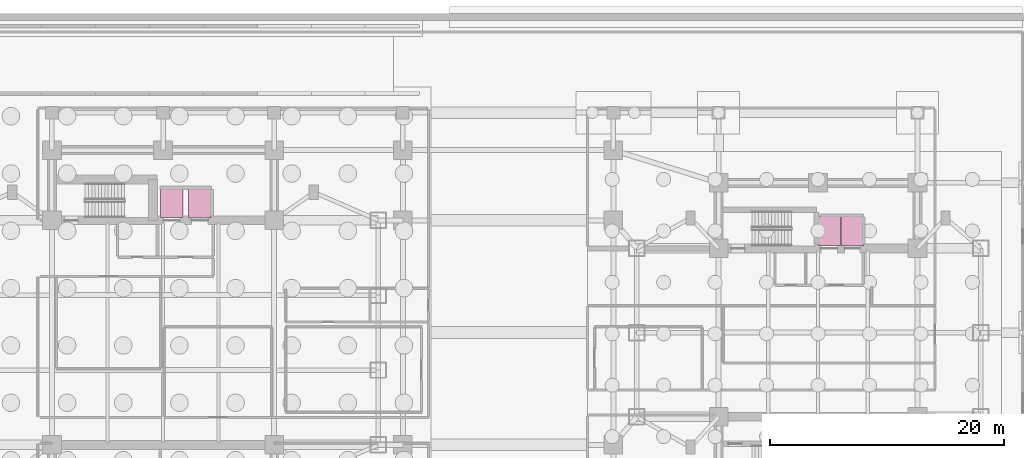
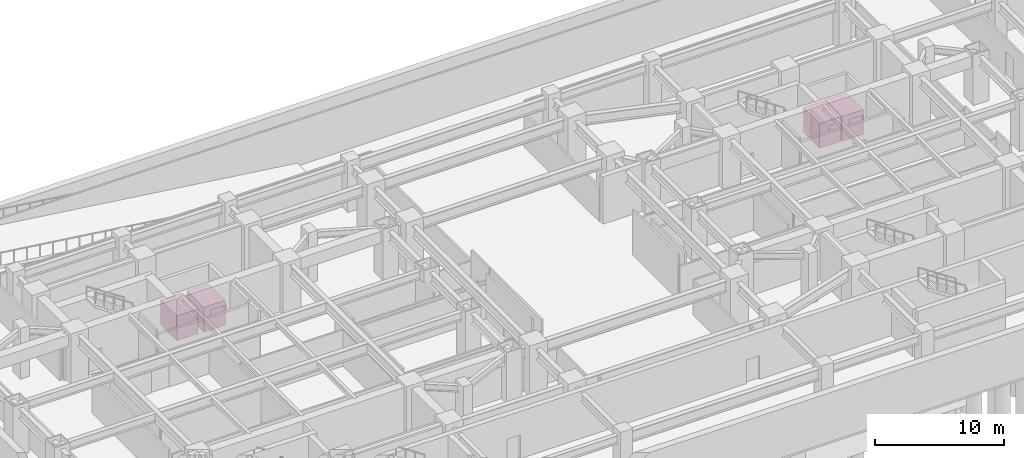
# One storey, part 16 of 16: 4 transport elements.
"""IFC4 building model written with IfcOpenShell, lengths in metres."""

from ifc_helpers import new_model, si_unit, direction, frame, origin, origin_2d, place, context, subcontext, project, spatial, rectangle, extrude, material, type_object, element, save


model = new_model("IFC4")

# Units and contexts
model_context = context("Model", 3, precision=1e-05, world=origin(), true_north=direction((0.0, 1.0)))
body_context = subcontext(model_context, "Body", "Model", "MODEL_VIEW")
ifc_project = project(units=[si_unit("LENGTHUNIT", "METRE"), si_unit("AREAUNIT", "SQUARE_METRE"), si_unit("VOLUMEUNIT", "CUBIC_METRE"), si_unit("PLANEANGLEUNIT", "RADIAN"), si_unit("MASSUNIT", "GRAM", prefix="KILO")], contexts=[model_context])

# Site, building, storey
site_placement = place(None, origin())
site = spatial("IfcSite", under=ifc_project, at=site_placement, CompositionType="ELEMENT")
building_placement = place(site_placement, origin())
building = spatial("IfcBuilding", under=site, at=building_placement, Name="Mirazonda Arch Towers", CompositionType="ELEMENT")
storey_placement = place(building_placement, frame((0.0, 0.0, -4.800048828125)))
storey = spatial("IfcBuildingStorey", under=building, at=storey_placement, Name="B1", CompositionType="ELEMENT", Elevation=-4.800048828125)

# Transport elements
ifc_material = material(Name="Architectural Brushed Steel S355", Category="steel")
transport_element_type_1 = type_object("IfcTransportElementType", Name="LIFT-FFL-T1", PredefinedType="ELEVATOR", material=ifc_material)
transport_element_1_placement = place(storey_placement, frame((21.25, 39.10009765625, 0.0), z_axis=(0.0, 0.0, 1.0), x_axis=(1.0, 0.0, 0.0)))
element("IfcTransportElement", 1, at=transport_element_1_placement, inside=storey, type_object=transport_element_type_1, Name="Firefighting Lift FFL-T1 Car", PredefinedType="ELEVATOR", context=body_context, shape_type="SweptSolid", body=[
    extrude(rectangle(XDim=1.919921875, YDim=2.52001953125, at=origin_2d()), origin(), (0.0, 0.0, 1.0), 2.35009765625),
])
transport_element_type_2 = type_object("IfcTransportElementType", Name="LIFT-FFL-T2", PredefinedType="ELEVATOR", material=ifc_material)
transport_element_2_placement = place(storey_placement, frame((77.449951171875, 36.699951171875, 0.0), z_axis=(0.0, 0.0, 1.0), x_axis=(1.0, 0.0, 0.0)))
element("IfcTransportElement", 2, at=transport_element_2_placement, inside=storey, type_object=transport_element_type_2, Name="Firefighting Lift FFL-T2 Car", PredefinedType="ELEVATOR", context=body_context, shape_type="SweptSolid", body=[
    extrude(rectangle(XDim=1.919921875, YDim=2.52001953125, at=origin_2d()), origin(), (0.0, 0.0, 1.0), 2.35009765625),
])
transport_element_type_3 = type_object("IfcTransportElementType", Name="LIFT-SVL-T1", PredefinedType="ELEVATOR", material=ifc_material)
transport_element_3_placement = place(storey_placement, frame((23.64990234375, 39.10009765625, 0.0), z_axis=(0.0, 0.0, 1.0), x_axis=(1.0, 0.0, 0.0)))
element("IfcTransportElement", 3, at=transport_element_3_placement, inside=storey, type_object=transport_element_type_3, Name="Firefighting Lift SVL-T1 Car", PredefinedType="ELEVATOR", context=body_context, shape_type="SweptSolid", body=[
    extrude(rectangle(XDim=1.919921875, YDim=2.6201171875, at=origin_2d()), origin(), (0.0, 0.0, 1.0), 2.35009765625),
])
transport_element_type_4 = type_object("IfcTransportElementType", Name="LIFT-SVL-T2", PredefinedType="ELEVATOR", material=ifc_material)
transport_element_4_placement = place(storey_placement, frame((79.419921875, 36.699951171875, 0.0), z_axis=(0.0, 0.0, 1.0), x_axis=(1.0, 0.0, 0.0)))
element("IfcTransportElement", 4, at=transport_element_4_placement, inside=storey, type_object=transport_element_type_4, Name="Service Lift SVL-T2 Car", PredefinedType="ELEVATOR", context=body_context, shape_type="SweptSolid", body=[
    extrude(rectangle(XDim=1.919921875, YDim=2.6201171875, at=origin_2d()), origin(), (0.0, 0.0, 1.0), 2.35009765625),
])

save(model, "model.ifc")
